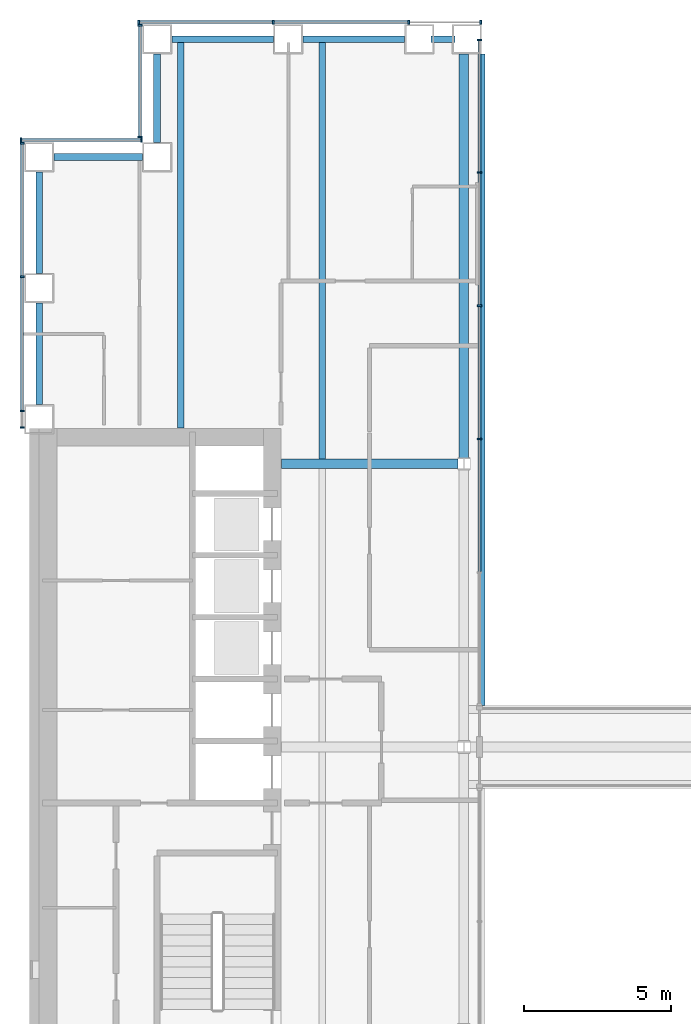
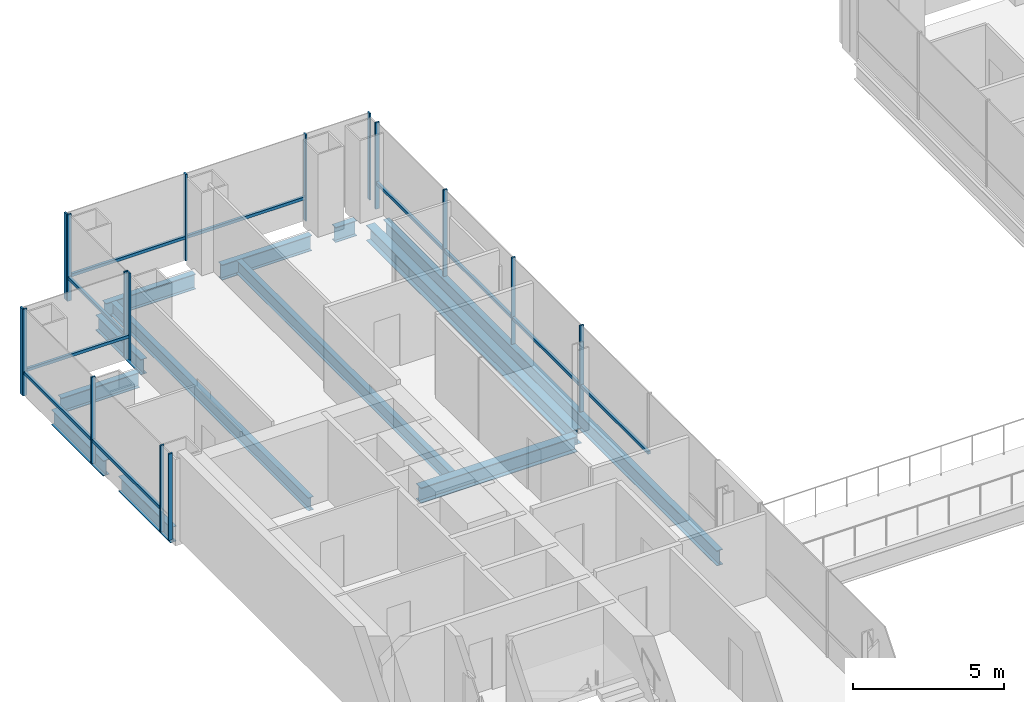
# One storey, part 6 of 19: 26 members, 12 beams, 5 elements without a shape of their own.
"""IFC4 building model written with IfcOpenShell, lengths in metres."""

from ifc_helpers import new_model, si_unit, direction, frame, origin, origin_2d, place, context, subcontext, project, spatial, rectangle, i_section, extrude, material, material_profile, profile_set, type_object, element, aggregate, save


model = new_model("IFC4")

# Units and contexts
model_context = context("Model", 3, precision=1e-05, world=origin(), true_north=direction((0.0, 1.0)))
body_context = subcontext(model_context, "Body", "Model", "MODEL_VIEW")
ifc_project = project(units=[si_unit("LENGTHUNIT", "METRE"), si_unit("AREAUNIT", "SQUARE_METRE"), si_unit("VOLUMEUNIT", "CUBIC_METRE"), si_unit("PLANEANGLEUNIT", "RADIAN"), si_unit("MASSUNIT", "GRAM", prefix="KILO")], contexts=[model_context])

# Site, building, storey
site_placement = place(None, origin())
site = spatial("IfcSite", under=ifc_project, at=site_placement, CompositionType="ELEMENT")
building_placement = place(site_placement, origin())
building = spatial("IfcBuilding", under=site, at=building_placement, Name="Cobrizo Arcos Hotel Tower", CompositionType="ELEMENT")
storey_placement = place(building_placement, frame((0.0, 0.0, 63.5)))
storey = spatial("IfcBuildingStorey", under=building, at=storey_placement, Name="L14", CompositionType="ELEMENT", Elevation=63.5)

# Curtain wall, members
ifc_material_1 = material(Name="Aluminium 6063-T6 anodised bronze", Category="aluminium")
curtain_wall_type_1 = type_object("IfcCurtainWallType", Name="CW-A guest facade", PredefinedType="NOTDEFINED", material=ifc_material_1)
curtain_wall_1_placement = place(storey_placement, origin())
curtain_wall_1 = element("IfcCurtainWall", 1, at=curtain_wall_1_placement, inside=storey, type_object=curtain_wall_type_1, Name="CW-A L14 N face", PredefinedType="NOTDEFINED")
ifc_material_profile_1 = material_profile(ifc_material_1, rectangle(XDim=0.14990234375, YDim=0.06005859375, at=origin_2d()), Name="CW-A mullion 150x60")
ifc_profile_set_1 = profile_set([ifc_material_profile_1], Name="Aluminium 6063-T6 anodised bronze")
member_type_1 = type_object("IfcMemberType", Name="CW-A mullion 150x60", PredefinedType="MULLION", material=ifc_profile_set_1)
member_1_placement = place(storey_placement, frame((-9.030029296875, 24.574951171875, 0.0), z_axis=(0.0, 0.0, 1.0), x_axis=(0.0, 1.0, 0.0)))
member_1 = element("IfcMember", 2, at=member_1_placement, type_object=member_type_1, Name="CW-A mullion 1", PredefinedType="MULLION", context=body_context, shape_type="SweptSolid", body=[
    extrude(rectangle(XDim=0.14990234375, YDim=0.06005859375, at=origin_2d()), origin(), (0.0, 0.0, 1.0), 3.5),
])
member_2_placement = place(storey_placement, frame((-11.47216796875, 24.574951171875, 0.0), z_axis=(0.0, 0.0, 1.0), x_axis=(0.0, 1.0, 0.0)))
member_2 = element("IfcMember", 3, at=member_2_placement, type_object=member_type_1, Name="CW-A mullion 2", PredefinedType="MULLION", context=body_context, shape_type="SweptSolid", body=[
    extrude(rectangle(XDim=0.14990234375, YDim=0.06005859375, at=origin_2d()), origin(), (0.0, 0.0, 1.0), 3.5),
])
member_3_placement = place(storey_placement, frame((-16.06103515625, 24.574951171875, 0.0), z_axis=(0.0, 0.0, 1.0), x_axis=(0.0, 1.0, 0.0)))
member_3 = element("IfcMember", 4, at=member_3_placement, type_object=member_type_1, Name="CW-A mullion 3", PredefinedType="MULLION", context=body_context, shape_type="SweptSolid", body=[
    extrude(rectangle(XDim=0.14990234375, YDim=0.06005859375, at=origin_2d()), origin(), (0.0, 0.0, 1.0), 3.5),
])
member_4_placement = place(storey_placement, frame((-20.6201171875, 24.574951171875, 0.0), z_axis=(0.0, 0.0, 1.0), x_axis=(0.0, 1.0, 0.0)))
member_4 = element("IfcMember", 5, at=member_4_placement, type_object=member_type_1, Name="CW-A mullion 4", PredefinedType="MULLION", context=body_context, shape_type="SweptSolid", body=[
    extrude(rectangle(XDim=0.14990234375, YDim=0.06005859375, at=origin_2d()), origin(), (0.0, 0.0, 1.0), 3.5),
])

curtain_wall_2_placement = place(storey_placement, origin())
curtain_wall_2 = element("IfcCurtainWall", 6, at=curtain_wall_2_placement, inside=storey, type_object=curtain_wall_type_1, Name="CW-A L14 W face", PredefinedType="NOTDEFINED")
member_5_placement = place(storey_placement, frame((-20.574951171875, 24.469970703125, 0.0), z_axis=(0.0, 0.0, 1.0), x_axis=(-1.0, 0.0, 0.0)))
member_5 = element("IfcMember", 7, at=member_5_placement, type_object=member_type_1, Name="CW-A mullion 1", PredefinedType="MULLION", context=body_context, shape_type="SweptSolid", body=[
    extrude(rectangle(XDim=0.14990234375, YDim=0.06005859375, at=origin_2d()), origin(), (0.0, 0.0, 1.0), 3.5),
])
member_6_placement = place(storey_placement, frame((-20.574951171875, 20.679931640625, 0.0), z_axis=(0.0, 0.0, 1.0), x_axis=(-1.0, 0.0, 0.0)))
member_6 = element("IfcMember", 8, at=member_6_placement, type_object=member_type_1, Name="CW-A mullion 2", PredefinedType="MULLION", context=body_context, shape_type="SweptSolid", body=[
    extrude(rectangle(XDim=0.14990234375, YDim=0.06005859375, at=origin_2d()), origin(), (0.0, 0.0, 1.0), 3.5),
])

curtain_wall_3_placement = place(storey_placement, origin())
curtain_wall_3 = element("IfcCurtainWall", 9, at=curtain_wall_3_placement, inside=storey, type_object=curtain_wall_type_1, Name="CW-A L14 N face", PredefinedType="NOTDEFINED")
member_7_placement = place(storey_placement, frame((-20.530029296875, 20.574951171875, 0.0), z_axis=(0.0, 0.0, 1.0), x_axis=(0.0, 1.0, 0.0)))
member_7 = element("IfcMember", 10, at=member_7_placement, type_object=member_type_1, Name="CW-A mullion 1", PredefinedType="MULLION", context=body_context, shape_type="SweptSolid", body=[
    extrude(rectangle(XDim=0.14990234375, YDim=0.06005859375, at=origin_2d()), origin(), (0.0, 0.0, 1.0), 3.5),
])
member_8_placement = place(storey_placement, frame((-24.6201171875, 20.574951171875, 0.0), z_axis=(0.0, 0.0, 1.0), x_axis=(0.0, 1.0, 0.0)))
member_8 = element("IfcMember", 11, at=member_8_placement, type_object=member_type_1, Name="CW-A mullion 2", PredefinedType="MULLION", context=body_context, shape_type="SweptSolid", body=[
    extrude(rectangle(XDim=0.14990234375, YDim=0.06005859375, at=origin_2d()), origin(), (0.0, 0.0, 1.0), 3.5),
])

curtain_wall_4_placement = place(storey_placement, origin())
curtain_wall_4 = element("IfcCurtainWall", 12, at=curtain_wall_4_placement, inside=storey, type_object=curtain_wall_type_1, Name="CW-A L14 W face", PredefinedType="NOTDEFINED")
member_9_placement = place(storey_placement, frame((-24.574951171875, 20.469970703125, 0.0), z_axis=(0.0, 0.0, 1.0), x_axis=(-1.0, 0.0, 0.0)))
member_9 = element("IfcMember", 13, at=member_9_placement, type_object=member_type_1, Name="CW-A mullion 1", PredefinedType="MULLION", context=body_context, shape_type="SweptSolid", body=[
    extrude(rectangle(XDim=0.14990234375, YDim=0.06005859375, at=origin_2d()), origin(), (0.0, 0.0, 1.0), 3.5),
])
member_10_placement = place(storey_placement, frame((-24.574951171875, 15.9443359375, 0.0), z_axis=(0.0, 0.0, 1.0), x_axis=(-1.0, 0.0, 0.0)))
member_10 = element("IfcMember", 14, at=member_10_placement, type_object=member_type_1, Name="CW-A mullion 2", PredefinedType="MULLION", context=body_context, shape_type="SweptSolid", body=[
    extrude(rectangle(XDim=0.14990234375, YDim=0.06005859375, at=origin_2d()), origin(), (0.0, 0.0, 1.0), 3.5),
])
member_11_placement = place(storey_placement, frame((-24.574951171875, 11.388916015625, 0.0), z_axis=(0.0, 0.0, 1.0), x_axis=(-1.0, 0.0, 0.0)))
member_11 = element("IfcMember", 15, at=member_11_placement, type_object=member_type_1, Name="CW-A mullion 3", PredefinedType="MULLION", context=body_context, shape_type="SweptSolid", body=[
    extrude(rectangle(XDim=0.14990234375, YDim=0.06005859375, at=origin_2d()), origin(), (0.0, 0.0, 1.0), 3.5),
])
member_12_placement = place(storey_placement, frame((-24.574951171875, 10.830078125, 0.0), z_axis=(0.0, 0.0, 1.0), x_axis=(-1.0, 0.0, 0.0)))
member_12 = element("IfcMember", 16, at=member_12_placement, type_object=member_type_1, Name="CW-A mullion 4", PredefinedType="MULLION", context=body_context, shape_type="SweptSolid", body=[
    extrude(rectangle(XDim=0.14990234375, YDim=0.06005859375, at=origin_2d()), origin(), (0.0, 0.0, 1.0), 3.5),
])

# Member
ifc_material_profile_2 = material_profile(ifc_material_1, rectangle(XDim=0.10009765625, YDim=0.1201171875, at=origin_2d()), Name="CW-A transom 120x100")
ifc_profile_set_2 = profile_set([ifc_material_profile_2], Name="Aluminium 6063-T6 anodised bronze")
member_type_2 = type_object("IfcMemberType", Name="CW-A transom 120x100", PredefinedType="USERDEFINED", material=ifc_profile_set_2)
member_13_placement = place(storey_placement, frame((-11.502197265625, 24.574951171875, 0.929931640625), z_axis=(-1.0, 0.0, 0.0), x_axis=(0.0, -1.0, 0.0)))
member_13 = element("IfcMember", 17, at=member_13_placement, type_object=member_type_2, Name="CW-A transom 641", ObjectType="TRANSOM", PredefinedType="USERDEFINED", context=body_context, shape_type="SweptSolid", body=[
    extrude(rectangle(XDim=0.10009765625, YDim=0.1201171875, at=origin_2d()), origin(), (0.0, 0.0, 1.0), 4.52880859375),
])

member_14_placement = place(storey_placement, frame((-16.091064453125, 24.574951171875, 0.929931640625), z_axis=(-1.0, 0.0, 0.0), x_axis=(0.0, -1.0, 0.0)))
member_14 = element("IfcMember", 18, at=member_14_placement, type_object=member_type_2, Name="CW-A transom 642", ObjectType="TRANSOM", PredefinedType="USERDEFINED", context=body_context, shape_type="SweptSolid", body=[
    extrude(rectangle(XDim=0.10009765625, YDim=0.1201171875, at=origin_2d()), origin(), (0.0, 0.0, 1.0), 4.4990234375),
])

aggregate(curtain_wall_1, [member_1, member_2, member_3, member_4, member_13, member_14])

member_15_placement = place(storey_placement, frame((-20.574951171875, 24.43994140625, 0.929931640625), z_axis=(0.0, -1.0, 0.0), x_axis=(1.0, 0.0, 0.0)))
member_15 = element("IfcMember", 19, at=member_15_placement, type_object=member_type_2, Name="CW-A transom 643", ObjectType="TRANSOM", PredefinedType="USERDEFINED", context=body_context, shape_type="SweptSolid", body=[
    extrude(rectangle(XDim=0.10009765625, YDim=0.1201171875, at=origin_2d()), origin(), (0.0, 0.0, 1.0), 3.72998046875),
])

aggregate(curtain_wall_2, [member_5, member_6, member_15])

member_16_placement = place(storey_placement, frame((-20.56005859375, 20.574951171875, 0.929931640625), z_axis=(-1.0, 0.0, 0.0), x_axis=(0.0, -1.0, 0.0)))
member_16 = element("IfcMember", 20, at=member_16_placement, type_object=member_type_2, Name="CW-A transom 644", ObjectType="TRANSOM", PredefinedType="USERDEFINED", context=body_context, shape_type="SweptSolid", body=[
    extrude(rectangle(XDim=0.10009765625, YDim=0.1201171875, at=origin_2d()), origin(), (0.0, 0.0, 1.0), 4.030029296875),
])

aggregate(curtain_wall_3, [member_7, member_8, member_16])

member_17_placement = place(storey_placement, frame((-24.574951171875, 20.43994140625, 0.929931640625), z_axis=(0.0, -1.0, 0.0), x_axis=(1.0, 0.0, 0.0)))
member_17 = element("IfcMember", 21, at=member_17_placement, type_object=member_type_2, Name="CW-A transom 645", ObjectType="TRANSOM", PredefinedType="USERDEFINED", context=body_context, shape_type="SweptSolid", body=[
    extrude(rectangle(XDim=0.10009765625, YDim=0.1201171875, at=origin_2d()), origin(), (0.0, 0.0, 1.0), 4.465576171875),
])

member_18_placement = place(storey_placement, frame((-24.574951171875, 15.91455078125, 0.929931640625), z_axis=(0.0, -1.0, 0.0), x_axis=(1.0, 0.0, 0.0)))
member_18 = element("IfcMember", 22, at=member_18_placement, type_object=member_type_2, Name="CW-A transom 646", ObjectType="TRANSOM", PredefinedType="USERDEFINED", context=body_context, shape_type="SweptSolid", body=[
    extrude(rectangle(XDim=0.10009765625, YDim=0.1201171875, at=origin_2d()), origin(), (0.0, 0.0, 1.0), 4.49560546875),
])

aggregate(curtain_wall_4, [member_9, member_10, member_11, member_12, member_17, member_18])

# Curtain wall, members
curtain_wall_type_2 = type_object("IfcCurtainWallType", Name="CW-F void screen", PredefinedType="NOTDEFINED", material=ifc_material_1)
curtain_wall_5_placement = place(storey_placement, origin())
curtain_wall_5 = element("IfcCurtainWall", 23, at=curtain_wall_5_placement, inside=storey, type_object=curtain_wall_type_2, Name="CW-F L14 void screen A", PredefinedType="NOTDEFINED")
ifc_material_profile_3 = material_profile(ifc_material_1, rectangle(XDim=0.14990234375, YDim=0.06005859375, at=origin_2d()), Name="CW-F mullion 150x60")
ifc_profile_set_3 = profile_set([ifc_material_profile_3], Name="Aluminium 6063-T6 anodised bronze")
member_type_3 = type_object("IfcMemberType", Name="CW-F mullion 150x60", PredefinedType="MULLION", material=ifc_profile_set_3)
member_19_placement = place(storey_placement, frame((-9.074951171875, 23.969970703125, 0.0), z_axis=(0.0, 0.0, 1.0), x_axis=(-1.0, 0.0, 0.0)))
member_19 = element("IfcMember", 24, at=member_19_placement, type_object=member_type_3, Name="CW-F mullion 1", PredefinedType="MULLION", context=body_context, shape_type="SweptSolid", body=[
    extrude(rectangle(XDim=0.14990234375, YDim=0.06005859375, at=origin_2d()), origin(), (0.0, 0.0, 1.0), 3.5),
])
member_20_placement = place(storey_placement, frame((-9.074951171875, 19.47998046875, 0.0), z_axis=(0.0, 0.0, 1.0), x_axis=(-1.0, 0.0, 0.0)))
member_20 = element("IfcMember", 25, at=member_20_placement, type_object=member_type_3, Name="CW-F mullion 2", PredefinedType="MULLION", context=body_context, shape_type="SweptSolid", body=[
    extrude(rectangle(XDim=0.14990234375, YDim=0.06005859375, at=origin_2d()), origin(), (0.0, 0.0, 1.0), 3.5),
])
member_21_placement = place(storey_placement, frame((-9.074951171875, 14.9599609375, 0.0), z_axis=(0.0, 0.0, 1.0), x_axis=(-1.0, 0.0, 0.0)))
member_21 = element("IfcMember", 26, at=member_21_placement, type_object=member_type_3, Name="CW-F mullion 3", PredefinedType="MULLION", context=body_context, shape_type="SweptSolid", body=[
    extrude(rectangle(XDim=0.14990234375, YDim=0.06005859375, at=origin_2d()), origin(), (0.0, 0.0, 1.0), 3.5),
])
member_22_placement = place(storey_placement, frame((-9.074951171875, 10.43994140625, 0.0), z_axis=(0.0, 0.0, 1.0), x_axis=(-1.0, 0.0, 0.0)))
member_22 = element("IfcMember", 27, at=member_22_placement, type_object=member_type_3, Name="CW-F mullion 4", PredefinedType="MULLION", context=body_context, shape_type="SweptSolid", body=[
    extrude(rectangle(XDim=0.14990234375, YDim=0.06005859375, at=origin_2d()), origin(), (0.0, 0.0, 1.0), 3.5),
])
ifc_material_profile_4 = material_profile(ifc_material_1, rectangle(XDim=0.10009765625, YDim=0.1201171875, at=origin_2d()), Name="CW-F transom 120x100")
ifc_profile_set_4 = profile_set([ifc_material_profile_4], Name="Aluminium 6063-T6 anodised bronze")
member_type_4 = type_object("IfcMemberType", Name="CW-F transom 120x100", PredefinedType="USERDEFINED", material=ifc_profile_set_4)
member_23_placement = place(storey_placement, frame((-9.074951171875, 23.93994140625, 1.050048828125), z_axis=(0.0, -1.0, 0.0), x_axis=(1.0, 0.0, 0.0)))
member_23 = element("IfcMember", 28, at=member_23_placement, type_object=member_type_4, Name="CW-F transom 2458", ObjectType="TRANSOM", PredefinedType="USERDEFINED", context=body_context, shape_type="SweptSolid", body=[
    extrude(rectangle(XDim=0.10009765625, YDim=0.1201171875, at=origin_2d()), origin(), (0.0, 0.0, 1.0), 4.429931640625),
])
member_24_placement = place(storey_placement, frame((-9.074951171875, 19.449951171875, 1.050048828125), z_axis=(0.0, -1.0, 0.0), x_axis=(1.0, 0.0, 0.0)))
member_24 = element("IfcMember", 29, at=member_24_placement, type_object=member_type_4, Name="CW-F transom 2459", ObjectType="TRANSOM", PredefinedType="USERDEFINED", context=body_context, shape_type="SweptSolid", body=[
    extrude(rectangle(XDim=0.10009765625, YDim=0.1201171875, at=origin_2d()), origin(), (0.0, 0.0, 1.0), 4.4599609375),
])
member_25_placement = place(storey_placement, frame((-9.074951171875, 14.929931640625, 1.050048828125), z_axis=(0.0, -1.0, 0.0), x_axis=(1.0, 0.0, 0.0)))
member_25 = element("IfcMember", 30, at=member_25_placement, type_object=member_type_4, Name="CW-F transom 2460", ObjectType="TRANSOM", PredefinedType="USERDEFINED", context=body_context, shape_type="SweptSolid", body=[
    extrude(rectangle(XDim=0.10009765625, YDim=0.1201171875, at=origin_2d()), origin(), (0.0, 0.0, 1.0), 4.4599609375),
])
member_26_placement = place(storey_placement, frame((-9.074951171875, 10.409912109375, 1.050048828125), z_axis=(0.0, -1.0, 0.0), x_axis=(1.0, 0.0, 0.0)))
member_26 = element("IfcMember", 31, at=member_26_placement, type_object=member_type_4, Name="CW-F transom 2461", ObjectType="TRANSOM", PredefinedType="USERDEFINED", context=body_context, shape_type="SweptSolid", body=[
    extrude(rectangle(XDim=0.10009765625, YDim=0.1201171875, at=origin_2d()), origin(), (0.0, 0.0, 1.0), 4.4599609375),
])
aggregate(curtain_wall_5, [member_19, member_20, member_21, member_22, member_23, member_24, member_25, member_26])

# Beams
ifc_material_2 = material(Name="Steel ASTM A992 Grade 50", Category="steel")
ifc_material_profile_5 = material_profile(ifc_material_2, i_section(OverallWidth=0.209228515625, OverallDepth=0.533447265625, WebThickness=0.01025390625, FlangeThickness=0.015625, at=origin_2d()), Name="W21X62")
ifc_profile_set_5 = profile_set([ifc_material_profile_5], Name="Steel ASTM A992 Grade 50")
beam_type_1 = type_object("IfcBeamType", Name="W21X62 joist", PredefinedType="JOIST", material=ifc_profile_set_5)
beam_1_placement = place(storey_placement, frame((-19.199951171875, 10.81005859375, -0.416748046875), z_axis=(0.0, 1.0, 0.0), x_axis=(-1.0, 0.0, 0.0)))
element("IfcBeam", 32, at=beam_1_placement, inside=storey, type_object=beam_type_1, Name="Floor joist J1, L14, no. 002", PredefinedType="JOIST", context=body_context, shape_type="SweptSolid", body=[
    extrude(i_section(OverallWidth=0.209228515625, OverallDepth=0.533447265625, WebThickness=0.01025390625, FlangeThickness=0.015625, at=origin_2d()), origin(), (0.0, 0.0, 1.0), 13.099853515625),
])
beam_2_placement = place(storey_placement, frame((-14.39990234375, 9.763916015625, -0.416748046875), z_axis=(0.0, 1.0, 0.0), x_axis=(-1.0, 0.0, 0.0)))
element("IfcBeam", 33, at=beam_2_placement, inside=storey, type_object=beam_type_1, Name="Floor joist J1, L14, no. 006", PredefinedType="JOIST", context=body_context, shape_type="SweptSolid", body=[
    extrude(i_section(OverallWidth=0.209228515625, OverallDepth=0.533447265625, WebThickness=0.01025390625, FlangeThickness=0.015625, at=origin_2d()), origin(), (0.0, 0.0, 1.0), 14.14599609375),
])
ifc_material_profile_6 = material_profile(ifc_material_2, i_section(OverallWidth=0.32763671875, OverallDepth=0.622314453125, WebThickness=0.015380859375, FlangeThickness=0.0244140625, at=origin_2d()), Name="W24X131")
ifc_profile_set_6 = profile_set([ifc_material_profile_6], Name="Steel ASTM A992 Grade 50")
beam_type_2 = type_object("IfcBeamType", Name="W24X131 girder", PredefinedType="BEAM", material=ifc_profile_set_6)
beam_3_placement = place(storey_placement, frame((-15.7900390625, 9.60009765625, -0.461181640625), z_axis=(1.0, 0.0, 0.0), x_axis=(0.0, 1.0, 0.0)))
element("IfcBeam", 34, at=beam_3_placement, inside=storey, type_object=beam_type_2, Name="Floor girder G1, L14, no. 006", PredefinedType="BEAM", context=body_context, shape_type="SweptSolid", body=[
    extrude(i_section(OverallWidth=0.32763671875, OverallDepth=0.622314453125, WebThickness=0.015380859375, FlangeThickness=0.0244140625, at=origin_2d()), origin(), (0.0, 0.0, 1.0), 5.985595703125),
])
beam_4_placement = place(storey_placement, frame((-9.60009765625, 9.804443359375, -0.461181640625), z_axis=(0.0, 1.0, 0.0), x_axis=(-1.0, 0.0, 0.0)))
element("IfcBeam", 35, at=beam_4_placement, inside=storey, type_object=beam_type_2, Name="Floor girder G1, L14, no. 011", PredefinedType="BEAM", context=body_context, shape_type="SweptSolid", body=[
    extrude(i_section(OverallWidth=0.32763671875, OverallDepth=0.622314453125, WebThickness=0.015380859375, FlangeThickness=0.0244140625, at=origin_2d()), origin(), (0.0, 0.0, 1.0), 13.695556640625),
])
ifc_material_profile_7 = material_profile(ifc_material_2, i_section(OverallWidth=0.23046875, OverallDepth=0.6171875, WebThickness=0.01318359375, FlangeThickness=0.022216796875, at=origin_2d()), Name="W24X94")
ifc_profile_set_7 = profile_set([ifc_material_profile_7], Name="Steel ASTM A992 Grade 50")
beam_type_3 = type_object("IfcBeamType", Name="W24X94 spandrel", PredefinedType="SPANDREL", material=ifc_profile_set_7)
beam_5_placement = place(storey_placement, frame((-24.0, 11.611083984375, -0.45849609375), z_axis=(0.0, 1.0, 0.0), x_axis=(-1.0, 0.0, 0.0)))
element("IfcBeam", 36, at=beam_5_placement, inside=storey, type_object=beam_type_3, Name="Spandrel beam W24X94, L14, no. 020", PredefinedType="SPANDREL", context=body_context, shape_type="SweptSolid", body=[
    extrude(i_section(OverallWidth=0.23046875, OverallDepth=0.6171875, WebThickness=0.01318359375, FlangeThickness=0.022216796875, at=origin_2d()), origin(), (0.0, 0.0, 1.0), 3.44482421875),
])
beam_6_placement = place(storey_placement, frame((-24.0, 16.055908203125, -0.45849609375), z_axis=(0.0, 1.0, 0.0), x_axis=(-1.0, 0.0, 0.0)))
element("IfcBeam", 37, at=beam_6_placement, inside=storey, type_object=beam_type_3, Name="Spandrel beam W24X94, L14, no. 021", PredefinedType="SPANDREL", context=body_context, shape_type="SweptSolid", body=[
    extrude(i_section(OverallWidth=0.23046875, OverallDepth=0.6171875, WebThickness=0.01318359375, FlangeThickness=0.022216796875, at=origin_2d()), origin(), (0.0, 0.0, 1.0), 3.444091796875),
])
for number, where, z_axis, x_axis, name in (
    (38, (-23.5, 20.0, -0.45849609375), (1.0, 0.0, 0.0), (0.0, 1.0, 0.0), "Spandrel beam W24X94, L14, no. 022"),
    (39, (-20.0, 20.5, -0.45849609375), (0.0, 1.0, 0.0), (-1.0, 0.0, 0.0), "Spandrel beam W24X94, L14, no. 023"),
):
    element("IfcBeam", number, at=place(storey_placement, frame(where, z_axis=z_axis, x_axis=x_axis)), inside=storey, type_object=beam_type_3, Name=name, PredefinedType="SPANDREL", context=body_context, shape_type="SweptSolid", body=[
        extrude(i_section(OverallWidth=0.23046875, OverallDepth=0.6171875, WebThickness=0.01318359375, FlangeThickness=0.022216796875, at=origin_2d()), origin(), (0.0, 0.0, 1.0), 3.0),
    ])
beam_7_placement = place(storey_placement, frame((-19.5, 24.0, -0.45849609375), z_axis=(1.0, 0.0, 0.0), x_axis=(0.0, 1.0, 0.0)))
element("IfcBeam", 40, at=beam_7_placement, inside=storey, type_object=beam_type_3, Name="Spandrel beam W24X94, L14, no. 024", PredefinedType="SPANDREL", context=body_context, shape_type="SweptSolid", body=[
    extrude(i_section(OverallWidth=0.23046875, OverallDepth=0.6171875, WebThickness=0.01318359375, FlangeThickness=0.022216796875, at=origin_2d()), origin(), (0.0, 0.0, 1.0), 3.444091796875),
])
beam_8_placement = place(storey_placement, frame((-15.055908203125, 24.0, -0.45849609375), z_axis=(1.0, 0.0, 0.0), x_axis=(0.0, 1.0, 0.0)))
element("IfcBeam", 41, at=beam_8_placement, inside=storey, type_object=beam_type_3, Name="Spandrel beam W24X94, L14, no. 025", PredefinedType="SPANDREL", context=body_context, shape_type="SweptSolid", body=[
    extrude(i_section(OverallWidth=0.23046875, OverallDepth=0.6171875, WebThickness=0.01318359375, FlangeThickness=0.022216796875, at=origin_2d()), origin(), (0.0, 0.0, 1.0), 3.44482421875),
])
beam_9_placement = place(storey_placement, frame((-10.7109375, 24.0, -0.45849609375), z_axis=(1.0, 0.0, 0.0), x_axis=(0.0, 1.0, 0.0)))
element("IfcBeam", 42, at=beam_9_placement, inside=storey, type_object=beam_type_3, Name="Spandrel beam W24X94, L14, no. 026", PredefinedType="SPANDREL", context=body_context, shape_type="SweptSolid", body=[
    extrude(i_section(OverallWidth=0.23046875, OverallDepth=0.6171875, WebThickness=0.01318359375, FlangeThickness=0.022216796875, at=origin_2d()), origin(), (0.0, 0.0, 1.0), 0.81103515625),
])
beam_10_placement = place(storey_placement, frame((-9.0, 23.5, -0.45849609375), z_axis=(0.0, -1.0, 0.0), x_axis=(1.0, 0.0, 0.0)))
element("IfcBeam", 43, at=beam_10_placement, inside=storey, type_object=beam_type_3, Name="Spandrel beam W24X94, L14, no. 027", PredefinedType="SPANDREL", context=body_context, shape_type="SweptSolid", body=[
    extrude(i_section(OverallWidth=0.23046875, OverallDepth=0.6171875, WebThickness=0.01318359375, FlangeThickness=0.022216796875, at=origin_2d()), origin(), (0.0, 0.0, 1.0), 22.10009765625),
])

save(model, "model.ifc")
